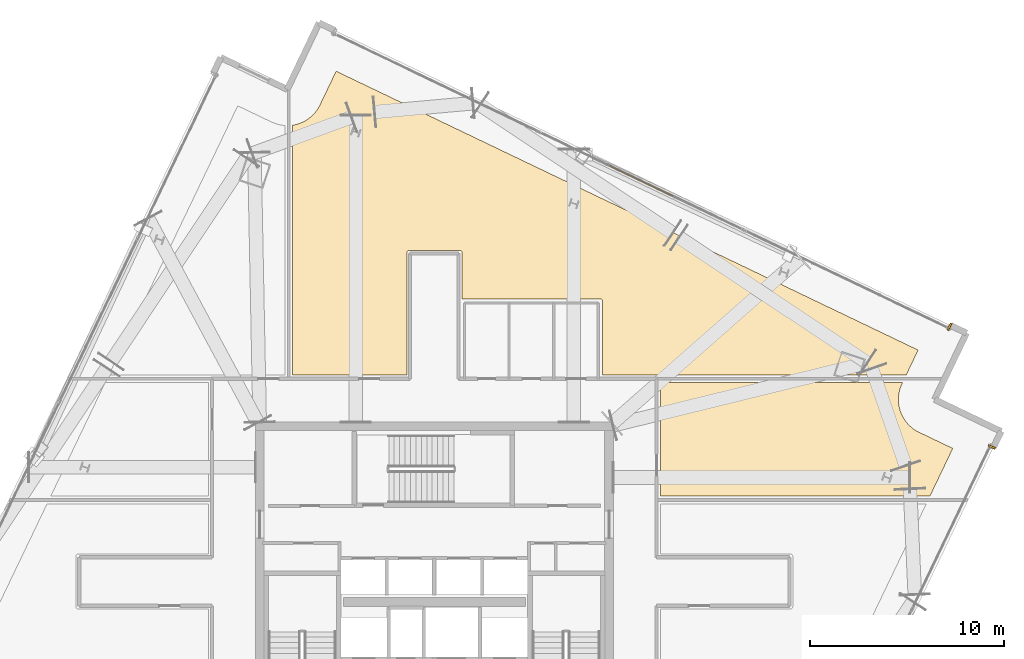
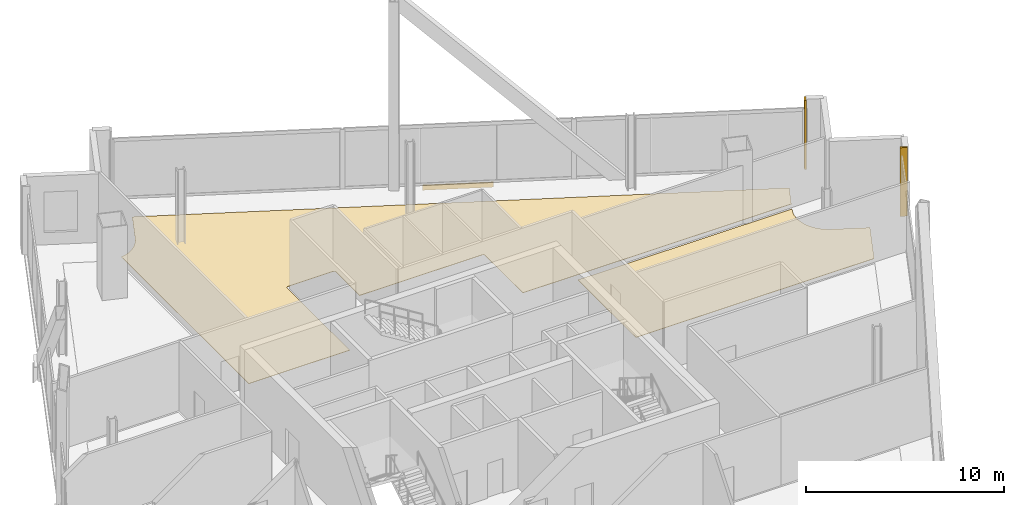
# One storey, part 24 of 24: 5 coverings.
"""IFC4 building model written with IfcOpenShell, lengths in metres."""

from ifc_helpers import new_model, si_unit, direction, frame, origin, origin_2d, place, context, subcontext, project, spatial, polyline, rectangle, outline, extrude, source, transform, mapped, material, layer, layer_set, type_object, element, save


model = new_model("IFC4")

# Units and contexts
model_context = context("Model", 3, precision=1e-05, world=origin(), true_north=direction((0.0, 1.0)))
body_context = subcontext(model_context, "Body", "Model", "MODEL_VIEW")
ifc_project = project(units=[si_unit("LENGTHUNIT", "METRE"), si_unit("AREAUNIT", "SQUARE_METRE"), si_unit("VOLUMEUNIT", "CUBIC_METRE"), si_unit("PLANEANGLEUNIT", "RADIAN"), si_unit("MASSUNIT", "GRAM", prefix="KILO")], contexts=[model_context])

# Site, building, storey
site_placement = place(None, origin())
site = spatial("IfcSite", under=ifc_project, at=site_placement, CompositionType="ELEMENT")
building_placement = place(site_placement, origin())
building = spatial("IfcBuilding", under=site, at=building_placement, Name="Haldenkirk Collegiate Tower", CompositionType="ELEMENT")
storey_placement = place(building_placement, frame((0.0, 0.0, 244.199951171875)))
storey = spatial("IfcBuildingStorey", under=building, at=storey_placement, Name="L61", CompositionType="ELEMENT", Elevation=244.199951171875)

# Coverings
ifc_material_1 = material(Name="Engineered collegiate oak acoustic flooring", Category="wood")
ifc_layer_1 = layer(ifc_material_1, 0.02197265625)
ifc_layer_set_1 = layer_set([ifc_layer_1], Name="Engineered collegiate oak acoustic flooring")
covering_type_1 = type_object("IfcCoveringType", Name="COV-FLOOR-TIMBER", PredefinedType="FLOORING", material=ifc_layer_set_1)
covering_1_placement = place(storey_placement, origin())
element("IfcCovering", 1, at=covering_1_placement, inside=storey, type_object=covering_type_1, Name="L61 academic room finish 05", PredefinedType="FLOORING", context=body_context, shape_type="SweptSolid", body=[
    extrude(outline(polyline([(28.699951171875, 49.519287109375), (28.855712890625, 49.549560546875), (28.8671875, 49.55224609375), (29.031982421875, 49.601318359375), (29.04296875, 49.605224609375), (29.201904296875, 49.670166015625), (29.212646484375, 49.67529296875), (29.364501953125, 49.75537109375), (29.37451171875, 49.761474609375), (29.517822265625, 49.856201171875), (29.52734375, 49.863037109375), (29.66064453125, 49.971435546875), (29.66943359375, 49.979248046875), (29.79150390625, 50.10009765625), (29.799560546875, 50.108642578125), (29.9091796875, 50.240966796875), (29.916015625, 50.250244140625), (30.01220703125, 50.392578125), (30.018310546875, 50.402587890625), (30.10009765625, 50.5537109375), (30.102783203125, 50.55908203125), (30.936767578125, 52.299560546875), (60.931396484375, 37.92822265625), (60.319091796875, 36.64990234375), (44.669921875, 36.64990234375), (44.669921875, 40.449951171875), (44.66943359375, 40.4619140625), (44.667724609375, 40.473388671875), (44.664794921875, 40.48486328125), (44.660888671875, 40.495849609375), (44.65576171875, 40.506591796875), (44.64990234375, 40.5166015625), (44.642822265625, 40.526123046875), (44.635009765625, 40.534912109375), (44.626220703125, 40.542724609375), (44.61669921875, 40.5498046875), (44.606689453125, 40.555908203125), (44.595947265625, 40.560791015625), (44.584716796875, 40.564697265625), (44.573486328125, 40.567626953125), (44.561767578125, 40.5693359375), (44.550048828125, 40.570068359375), (37.449951171875, 40.570068359375), (37.438232421875, 40.5693359375), (37.426513671875, 40.567626953125), (37.419921875, 40.56591796875), (37.419921875, 42.949951171875), (37.41943359375, 42.9619140625), (37.417724609375, 42.973388671875), (37.414794921875, 42.98486328125), (37.410888671875, 42.995849609375), (37.40576171875, 43.006591796875), (37.39990234375, 43.0166015625), (37.392822265625, 43.026123046875), (37.385009765625, 43.034912109375), (37.376220703125, 43.042724609375), (37.36669921875, 43.0498046875), (37.356689453125, 43.055908203125), (37.345947265625, 43.060791015625), (37.334716796875, 43.064697265625), (37.323486328125, 43.067626953125), (37.311767578125, 43.0693359375), (37.300048828125, 43.070068359375), (34.699951171875, 43.070068359375), (34.688232421875, 43.0693359375), (34.676513671875, 43.067626953125), (34.665283203125, 43.064697265625), (34.654052734375, 43.060791015625), (34.643310546875, 43.055908203125), (34.63330078125, 43.0498046875), (34.623779296875, 43.042724609375), (34.614990234375, 43.034912109375), (34.607177734375, 43.026123046875), (34.60009765625, 43.0166015625), (34.59423828125, 43.006591796875), (34.589111328125, 42.995849609375), (34.585205078125, 42.98486328125), (34.582275390625, 42.973388671875), (34.58056640625, 42.9619140625), (34.580078125, 42.949951171875), (34.580078125, 36.64990234375), (28.699951171875, 36.64990234375), (28.699951171875, 49.519287109375)])), origin(), (0.0, 0.0, 1.0), 0.02197265625),
])
covering_2_placement = place(storey_placement, origin())
element("IfcCovering", 2, at=covering_2_placement, inside=storey, type_object=covering_type_1, Name="L61 academic room finish 11", PredefinedType="FLOORING", context=body_context, shape_type="SweptSolid", body=[
    extrude(outline(polyline([(60.02880859375, 36.024169921875), (60.024658203125, 36.01318359375), (59.97412109375, 35.84912109375), (59.97119140625, 35.837646484375), (59.936767578125, 35.66943359375), (59.93505859375, 35.65771484375), (59.917236328125, 35.487060546875), (59.916748046875, 35.47509765625), (59.915771484375, 35.303466796875), (59.916259765625, 35.29150390625), (59.932373046875, 35.12060546875), (59.93408203125, 35.10888671875), (59.966552734375, 34.9404296875), (59.969482421875, 34.928955078125), (60.0185546875, 34.764404296875), (60.0224609375, 34.75341796875), (60.08740234375, 34.59423828125), (60.09228515625, 34.58349609375), (60.172607421875, 34.431640625), (60.178466796875, 34.421630859375), (60.273193359375, 34.2783203125), (60.280029296875, 34.268798828125), (60.38818359375, 34.135498046875), (60.396240234375, 34.126708984375), (60.51708984375, 34.004638671875), (60.52587890625, 33.996826171875), (60.657958984375, 33.88720703125), (60.66748046875, 33.880126953125), (60.809814453125, 33.783935546875), (60.81982421875, 33.77783203125), (60.970703125, 33.6962890625), (60.97607421875, 33.693603515625), (62.716552734375, 32.859619140625), (61.5380859375, 30.39990234375), (47.64990234375, 30.39990234375), (47.64990234375, 36.25), (60.12744140625, 36.25), (60.09765625, 36.18798828125), (60.09521484375, 36.1826171875), (60.02880859375, 36.024169921875)])), origin(), (0.0, 0.0, 1.0), 0.02197265625),
])
ifc_material_2 = material(Name="Anodised architectural bronze aluminium", Category="aluminium")
ifc_layer_2 = layer(ifc_material_2, 0.06005859375)
ifc_layer_set_2 = layer_set([ifc_layer_2], Name="Anodised architectural bronze aluminium")
covering_type_2 = type_object("IfcCoveringType", Name="COV-CLAD-BRONZE-60", PredefinedType="CLADDING", material=ifc_layer_set_2)
shared_shape_1 = source(origin(), body_context, "Body", "SweptSolid", [
    extrude(rectangle(XDim=3.60009765625, YDim=0.06005859375, at=origin_2d()), origin(), (0.0, 0.0, 1.0), 0.300048828125),
])
covering_3_placement = place(storey_placement, frame((46.664306640625, 46.63818359375, -0.2998046875), z_axis=(0.0, 0.0, 1.0), x_axis=(0.901832526405, -0.432085748802, 0.0)))
element("IfcCovering", 3, at=covering_3_placement, inside=storey, type_object=covering_type_2, Name="L61 architectural bronze spandrel cladding E", PredefinedType="CLADDING", context=body_context, shape_type="MappedRepresentation", body=[
    mapped(shared_shape_1, transform((0.0, 0.0, 0.0), x_axis=(1.0, 0.0, 0.0), y_axis=(0.0, 1.0, 0.0), z_axis=(0.0, 0.0, 1.0), scale=1.0)),
])
shared_shape_2 = source(origin(), body_context, "Body", "SweptSolid", [
    extrude(rectangle(XDim=0.10009765625, YDim=0.3798828125, at=origin_2d()), origin(), (0.0, 0.0, 1.0), 4.22998046875),
])
for number, where, z_axis, x_axis, name in (
    (4, (64.72802734375, 32.93798828125, 0.0), (0.0, 0.0, 1.0), (-0.432085748802, -0.901832526405, 0.0), "L61 recessed curtain-wall bronze jamb closure SJL"),
    (5, (62.548583984375, 39.12744140625, 0.0), (0.0, 0.0, 1.0), (0.901832526405, -0.432085748802, 0.0), "L61 recessed curtain-wall bronze jamb closure EJR"),
):
    element("IfcCovering", number, at=place(storey_placement, frame(where, z_axis=z_axis, x_axis=x_axis)), inside=storey, type_object=covering_type_2, Name=name, PredefinedType="CLADDING", context=body_context, shape_type="MappedRepresentation", body=[
        mapped(shared_shape_2, transform((0.0, 0.0, 0.0), x_axis=(1.0, 0.0, 0.0), y_axis=(0.0, 1.0, 0.0), z_axis=(0.0, 0.0, 1.0), scale=1.0)),
    ])

save(model, "model.ifc")
